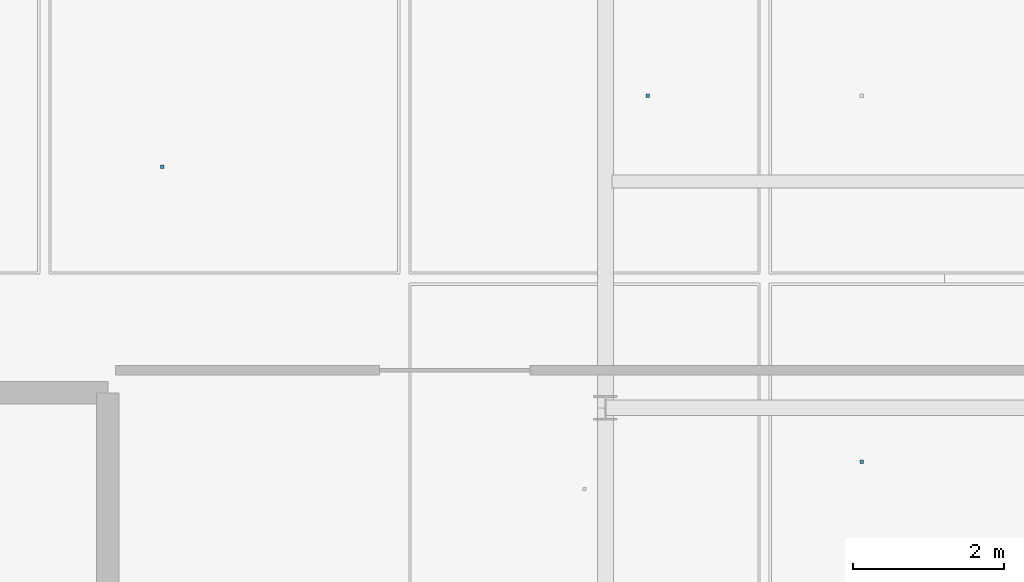
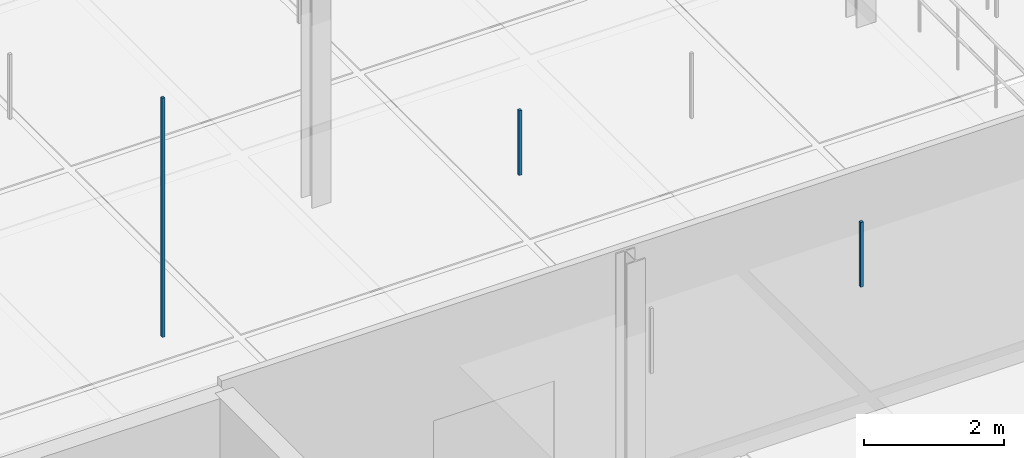
# One storey, part 50 of 66: 3 discrete accessories.
"""IFC4 building model written with IfcOpenShell, lengths in metres."""

from ifc_helpers import new_model, si_unit, direction, frame, origin, origin_2d, place, context, subcontext, project, spatial, rectangle, extrude, material, type_object, element, save


model = new_model("IFC4")

# Units and contexts
model_context = context("Model", 3, precision=1e-05, world=origin(), true_north=direction((0.0, 1.0)))
body_context = subcontext(model_context, "Body", "Model", "MODEL_VIEW")
ifc_project = project(units=[si_unit("LENGTHUNIT", "METRE"), si_unit("AREAUNIT", "SQUARE_METRE"), si_unit("VOLUMEUNIT", "CUBIC_METRE"), si_unit("PLANEANGLEUNIT", "RADIAN"), si_unit("MASSUNIT", "GRAM", prefix="KILO"), si_unit("THERMODYNAMICTEMPERATUREUNIT", "KELVIN"), si_unit("POWERUNIT", "WATT")], contexts=[model_context])

# Site, building, storey
site_placement = place(None, origin())
site = spatial("IfcSite", under=ifc_project, at=site_placement, CompositionType="ELEMENT")
building_placement = place(site_placement, origin())
building = spatial("IfcBuilding", under=site, at=building_placement, Name="Tallowbark Science Centre", CompositionType="ELEMENT")
storey_placement = place(building_placement, frame((0.0, 0.0, 18.89990234375)))
storey = spatial("IfcBuildingStorey", under=building, at=storey_placement, Name="L04", CompositionType="ELEMENT", Elevation=18.89990234375)

# Discrete accessories
ifc_material = material(Name="Galvanised Steel Grade C350L0 (350 MPa)", Category="steel")
discrete_accessory_type = type_object("IfcDiscreteAccessoryType", Name="ACC-CLG-HNG", PredefinedType="BRACKET", material=ifc_material)
discrete_accessory_placement = place(storey_placement, frame((70.62060546875, 16.7001953125, 3.20947265625), z_axis=(0.0, 0.0, 1.0), x_axis=(1.0, 0.0, 0.0)))
element("IfcDiscreteAccessory", 1, at=discrete_accessory_placement, inside=storey, type_object=discrete_accessory_type, Name="Ceiling Hanger Bracket L04-1078", PredefinedType="BRACKET", context=body_context, shape_type="SweptSolid", body=[
    extrude(rectangle(XDim=0.044921875, YDim=0.044921875, at=origin_2d()), origin(), (0.0, 0.0, 1.0), 4.177490234375),
])
for number, where, z_axis, x_axis, name in (
    (2, (77.060546875, 17.642822265625, 3.20947265625), (0.0, 0.0, 1.0), (1.0, 0.0, 0.0), "Ceiling Hanger Bracket L04-1085"),
    (3, (79.900390625, 12.78564453125, 3.20947265625), (0.0, 0.0, 1.0), (1.0, 0.0, 0.0), "Ceiling Hanger Bracket L04-1091"),
):
    element("IfcDiscreteAccessory", number, at=place(storey_placement, frame(where, z_axis=z_axis, x_axis=x_axis)), inside=storey, type_object=discrete_accessory_type, Name=name, PredefinedType="BRACKET", context=body_context, shape_type="SweptSolid", body=[
        extrude(rectangle(XDim=0.044921875, YDim=0.044921875, at=origin_2d()), origin(), (0.0, 0.0, 1.0), 1.133544921875),
    ])

save(model, "model.ifc")
